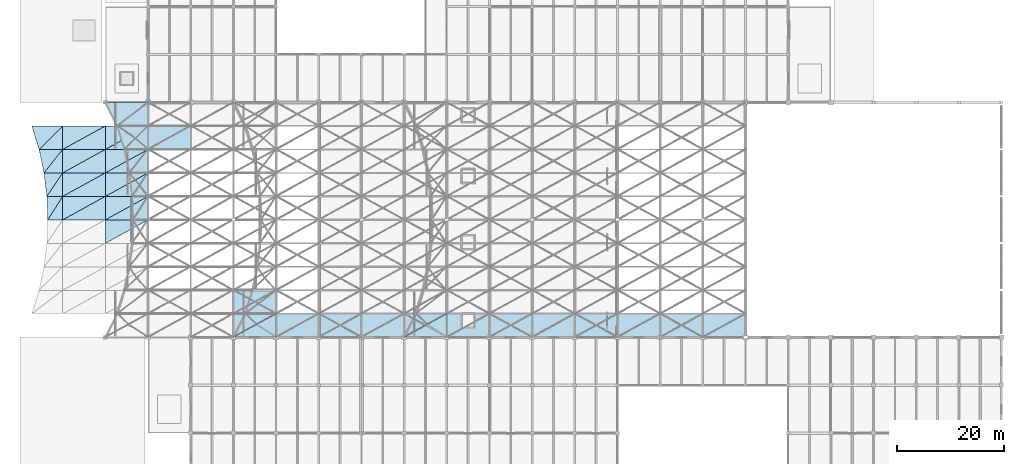
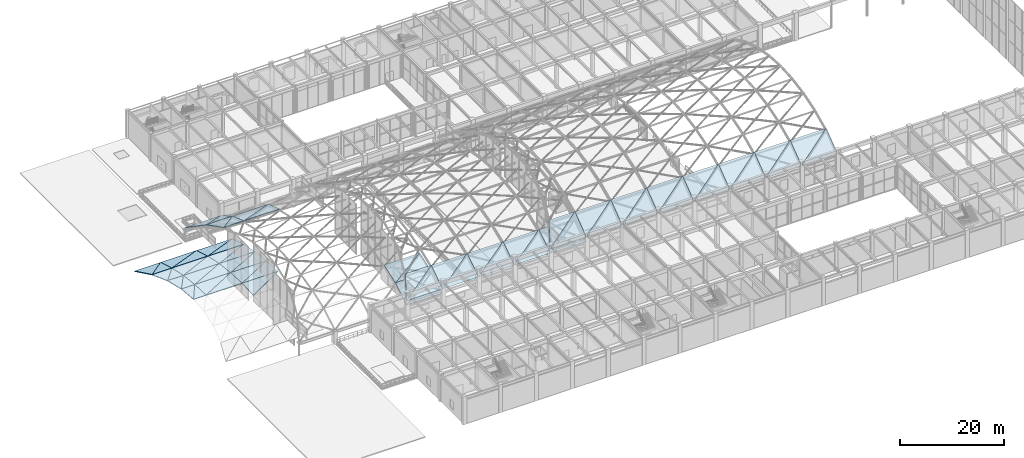
# One storey, part 138 of 163: 61 roofs.
"""IFC4 building model written with IfcOpenShell, lengths in metres."""

from ifc_helpers import new_model, si_unit, direction, frame, origin, place, context, subcontext, project, spatial, polyline, outline, extrude, material, layer, layer_set, type_object, element, save


model = new_model("IFC4")

# Units and contexts
model_context = context("Model", 3, precision=1e-05, world=origin(), true_north=direction((0.0, 1.0)))
body_context = subcontext(model_context, "Body", "Model", "MODEL_VIEW")
ifc_project = project(units=[si_unit("LENGTHUNIT", "METRE"), si_unit("AREAUNIT", "SQUARE_METRE"), si_unit("VOLUMEUNIT", "CUBIC_METRE"), si_unit("PLANEANGLEUNIT", "RADIAN"), si_unit("MASSUNIT", "GRAM", prefix="KILO")], contexts=[model_context])

# Site, building, storey
site_placement = place(None, origin())
site = spatial("IfcSite", under=ifc_project, at=site_placement, CompositionType="ELEMENT")
building_placement = place(site_placement, origin())
building = spatial("IfcBuilding", under=site, at=building_placement, Name="Varnabhumi Central Station", CompositionType="ELEMENT")
storey_placement = place(building_placement, frame((0.0, 0.0, 9.60009765625)))
storey = spatial("IfcBuildingStorey", under=building, at=storey_placement, Name="L02", CompositionType="ELEMENT", Elevation=9.60009765625)

# Roofs
ifc_material = material(Name="Champagne bronze diamond metal panel")
ifc_layer = layer(ifc_material, 0.159912109375, Name="Champagne bronze diamond metal panel")
ifc_layer_set = layer_set([ifc_layer], Name="Champagne bronze diamond metal panel")
roof_type = type_object("IfcRoofType", Name="ROOF-VAULT-BARREL", PredefinedType="BARREL_ROOF", material=ifc_layer_set)
roof_1_placement = place(storey_placement, frame((5.199951171875, 58.0, 3.572265625), z_axis=(0.0, 0.039919325954, 0.999202906028), x_axis=(1.0, 0.0, 0.0)))
element("IfcRoof", 1, at=roof_1_placement, inside=storey, type_object=roof_type, Name="Forecourt Arrival Canopy Vault Diamond Shell Panel 1-6A", PredefinedType="BARREL_ROOF", context=body_context, shape_type="SweptSolid", body=[
    extrude(outline(polyline([(0.0, 0.0), (2.800048828125, 0.0), (2.800048828125, 4.403412277131033), (0.0, 0.0)])), origin(), (0.0, 0.0, -1.0), 0.159912109375),
])
roof_2_placement = place(storey_placement, frame((5.199951171875, 58.0, 3.572265625), z_axis=(0.0, 0.039919325954, 0.999202906028), x_axis=(0.536585937907, 0.84317305545, -0.033685750745)))
element("IfcRoof", 2, at=roof_2_placement, inside=storey, type_object=roof_type, Name="Forecourt Arrival Canopy Vault Diamond Shell Panel 1-6B", PredefinedType="BARREL_ROOF", context=body_context, shape_type="SweptSolid", body=[
    extrude(outline(polyline([(0.0, 0.0), (5.218267252860138, -1.8214596497756474e-17), (3.6216096817640153, 2.510935338097973), (0.0, 0.0)])), origin(), (0.0, 0.0, -1.0), 0.159912109375),
])
roof_3_placement = place(storey_placement, frame((5.0244140625, 62.39990234375, 3.397705078125), z_axis=(0.0, 0.120244182838, 0.992744345989), x_axis=(1.0, 0.0, 0.0)))
element("IfcRoof", 3, at=roof_3_placement, inside=storey, type_object=roof_type, Name="Forecourt Arrival Canopy Vault Diamond Shell Panel 1-7A", PredefinedType="BARREL_ROOF", context=body_context, shape_type="SweptSolid", body=[
    extrude(outline(polyline([(0.0, 0.0), (2.9755859375, 0.0), (2.9755859375, 4.4323057614500945), (0.0, 0.0)])), origin(), (0.0, 0.0, -1.0), 0.159912109375),
])
roof_4_placement = place(storey_placement, frame((5.0244140625, 62.39990234375, 3.397705078125), z_axis=(0.0, 0.120244182838, 0.992744345989), x_axis=(0.557383731109, 0.824230963717, -0.099833334838)))
element("IfcRoof", 4, at=roof_4_placement, inside=storey, type_object=roof_type, Name="Forecourt Arrival Canopy Vault Diamond Shell Panel 1-7B", PredefinedType="BARREL_ROOF", context=body_context, shape_type="SweptSolid", body=[
    extrude(outline(polyline([(0.0, 0.0), (5.338487242134373, 1.0408340855860843e-16), (3.382881382815264, 2.912986987923499), (0.0, 0.0)])), origin(), (0.0, 0.0, -1.0), 0.159912109375),
])
roof_5_placement = place(storey_placement, frame((4.491455078125, 66.800048828125, 2.866943359375), z_axis=(0.0, 0.20340317008, 0.979095067091), x_axis=(1.0, 0.0, 0.0)))
element("IfcRoof", 5, at=roof_5_placement, inside=storey, type_object=roof_type, Name="Forecourt Arrival Canopy Vault Diamond Shell Panel 1-8A", PredefinedType="BARREL_ROOF", context=body_context, shape_type="SweptSolid", body=[
    extrude(outline(polyline([(0.0, 0.0), (3.508544921875, 0.0), (3.508544921875, 4.493845890597829), (0.0, 0.0)])), origin(), (0.0, 0.0, -1.0), 0.159912109375),
])
roof_6_placement = place(storey_placement, frame((4.491455078125, 66.800048828125, 2.866943359375), z_axis=(0.0, 0.20340317008, 0.979095067091), x_axis=(0.615396525938, 0.771740045262, -0.160325975444)))
element("IfcRoof", 6, at=roof_6_placement, inside=storey, type_object=roof_type, Name="Forecourt Arrival Canopy Vault Diamond Shell Panel 1-8B", PredefinedType="BARREL_ROOF", context=body_context, shape_type="SweptSolid", body=[
    extrude(outline(polyline([(0.0, 0.0), (5.701275151863648, 3.469446951953614e-16), (2.979617908853018, 3.4859773750831513), (0.0, 0.0)])), origin(), (0.0, 0.0, -1.0), 0.159912109375),
])
roof_7_placement = place(storey_placement, frame((3.577392578125, 71.199951171875, 1.956787109375), z_axis=(0.0, 0.295947424057, 0.95520423062), x_axis=(1.0, 0.0, 0.0)))
element("IfcRoof", 7, at=roof_7_placement, inside=storey, type_object=roof_type, Name="Forecourt Arrival Canopy Vault Diamond Shell Panel 1-9A", PredefinedType="BARREL_ROOF", context=body_context, shape_type="SweptSolid", body=[
    extrude(outline(polyline([(0.0, 0.0), (4.422607421875, 0.0), (4.422607421875, 4.60649811142469), (0.0, 0.0)])), origin(), (0.0, 0.0, -1.0), 0.159912109375),
])
roof_8_placement = place(storey_placement, frame((3.577392578125, 71.199951171875, 1.956787109375), z_axis=(0.0, 0.295947424057, 0.95520423062), x_axis=(0.692561917434, 0.689044628094, -0.213484170409)))
element("IfcRoof", 8, at=roof_8_placement, inside=storey, type_object=roof_type, Name="Forecourt Arrival Canopy Vault Diamond Shell Panel 1-9B", PredefinedType="BARREL_ROOF", context=body_context, shape_type="SweptSolid", body=[
    extrude(outline(polyline([(0.0, 0.0), (6.385865740726396, 5.551115123125783e-17), (2.3786105055723095, 4.1738757054109), (0.0, 0.0)])), origin(), (0.0, 0.0, -1.0), 0.159912109375),
])
roof_9_placement = place(storey_placement, frame((8.0, 58.0, 3.572265625), z_axis=(0.0, 0.039919325954, 0.999202906028), x_axis=(1.0, 0.0, 0.0)))
element("IfcRoof", 9, at=roof_9_placement, inside=storey, type_object=roof_type, Name="Forecourt Arrival Canopy Vault Diamond Shell Panel 2-6A", PredefinedType="BARREL_ROOF", context=body_context, shape_type="SweptSolid", body=[
    extrude(outline(polyline([(0.0, 0.0), (8.0, 0.0), (8.0, 4.403412277131033), (0.0, 0.0)])), origin(), (0.0, 0.0, -1.0), 0.159912109375),
])
roof_10_placement = place(storey_placement, frame((8.0, 58.0, 3.572265625), z_axis=(0.0, 0.039919325954, 0.999202906028), x_axis=(0.876058074368, 0.481821246834, -0.019249322923)))
element("IfcRoof", 10, at=roof_10_placement, inside=storey, type_object=roof_type, Name="Forecourt Arrival Canopy Vault Diamond Shell Panel 2-6B", PredefinedType="BARREL_ROOF", context=body_context, shape_type="SweptSolid", body=[
    extrude(outline(polyline([(0.0, 0.0), (9.131814698206941, 2.3418766925686896e-17), (2.123350103259936, 3.8576448801534764), (0.0, 0.0)])), origin(), (0.0, 0.0, -1.0), 0.159912109375),
])
roof_11_placement = place(storey_placement, frame((8.0, 62.39990234375, 3.397705078125), z_axis=(0.0, 0.120244182838, 0.992744345989), x_axis=(1.0, 0.0, 0.0)))
element("IfcRoof", 11, at=roof_11_placement, inside=storey, type_object=roof_type, Name="Forecourt Arrival Canopy Vault Diamond Shell Panel 2-7A", PredefinedType="BARREL_ROOF", context=body_context, shape_type="SweptSolid", body=[
    extrude(outline(polyline([(0.0, 0.0), (8.0, 0.0), (8.0, 4.4323057614500945), (0.0, 0.0)])), origin(), (0.0, 0.0, -1.0), 0.159912109375),
])
roof_12_placement = place(storey_placement, frame((8.0, 62.39990234375, 3.397705078125), z_axis=(0.0, 0.120244182838, 0.992744345989), x_axis=(0.874720140327, 0.481112093784, -0.0582737447)))
element("IfcRoof", 12, at=roof_12_placement, inside=storey, type_object=roof_type, Name="Forecourt Arrival Canopy Vault Diamond Shell Panel 2-7B", PredefinedType="BARREL_ROOF", context=body_context, shape_type="SweptSolid", body=[
    extrude(outline(polyline([(0.0, 0.0), (9.14578232645976, 4.85722573273506e-17), (2.1480212038447033, 3.877027117627275), (0.0, 0.0)])), origin(), (0.0, 0.0, -1.0), 0.159912109375),
])
roof_13_placement = place(storey_placement, frame((8.0, 66.800048828125, 2.866943359375), z_axis=(0.0, 0.20340317008, 0.979095067091), x_axis=(1.0, 0.0, 0.0)))
element("IfcRoof", 13, at=roof_13_placement, inside=storey, type_object=roof_type, Name="Forecourt Arrival Canopy Vault Diamond Shell Panel 2-8A", PredefinedType="BARREL_ROOF", context=body_context, shape_type="SweptSolid", body=[
    extrude(outline(polyline([(0.0, 0.0), (8.0, 0.0), (8.0, 4.493845890597829), (0.0, 0.0)])), origin(), (0.0, 0.0, -1.0), 0.159912109375),
])
roof_14_placement = place(storey_placement, frame((8.0, 66.800048828125, 2.866943359375), z_axis=(0.0, 0.20340317008, 0.979095067091), x_axis=(0.871861974597, 0.479513443182, -0.099617042019)))
element("IfcRoof", 14, at=roof_14_placement, inside=storey, type_object=roof_type, Name="Forecourt Arrival Canopy Vault Diamond Shell Panel 2-8B", PredefinedType="BARREL_ROOF", context=body_context, shape_type="SweptSolid", body=[
    extrude(outline(polyline([(0.0, 0.0), (9.175764321757779, -3.3306690738754696e-16), (2.20086852498565, 3.9180133517090625), (0.0, 0.0)])), origin(), (0.0, 0.0, -1.0), 0.159912109375),
])
roof_15_placement = place(storey_placement, frame((8.0, 71.199951171875, 1.956787109375), z_axis=(0.0, 0.295947424057, 0.95520423062), x_axis=(1.0, 0.0, 0.0)))
element("IfcRoof", 15, at=roof_15_placement, inside=storey, type_object=roof_type, Name="Forecourt Arrival Canopy Vault Diamond Shell Panel 2-9A", PredefinedType="BARREL_ROOF", context=body_context, shape_type="SweptSolid", body=[
    extrude(outline(polyline([(0.0, 0.0), (8.0, 0.0), (8.0, 4.60649811142469), (0.0, 0.0)])), origin(), (0.0, 0.0, -1.0), 0.159912109375),
])
roof_16_placement = place(storey_placement, frame((8.0, 71.199951171875, 1.956787109375), z_axis=(0.0, 0.295947424057, 0.95520423062), x_axis=(0.86660196281, 0.476646947501, -0.147677775889)))
element("IfcRoof", 16, at=roof_16_placement, inside=storey, type_object=roof_type, Name="Forecourt Arrival Canopy Vault Diamond Shell Panel 2-9B", PredefinedType="BARREL_ROOF", context=body_context, shape_type="SweptSolid", body=[
    extrude(outline(polyline([(0.0, 0.0), (9.23145843572722, 4.996003610813204e-16), (2.2986427332473407, 3.9920003050411244), (0.0, 0.0)])), origin(), (0.0, 0.0, -1.0), 0.159912109375),
])
roof_17_placement = place(storey_placement, frame((16.0, 53.60009765625, 3.396484375), z_axis=(0.0, -0.039919325954, 0.999202906028), x_axis=(0.876058074368, 0.481821246834, 0.019249322923)))
element("IfcRoof", 17, at=roof_17_placement, inside=storey, type_object=roof_type, Name="Forecourt Arrival Canopy Vault Diamond Shell Panel 3-5B", PredefinedType="BARREL_ROOF", context=body_context, shape_type="SweptSolid", body=[
    extrude(outline(polyline([(0.0, 0.0), (9.131814698206941, 2.3418766925686896e-17), (2.123350103259936, 3.8576448801534764), (0.0, 0.0)])), origin(), (0.0, 0.0, -1.0), 0.159912109375),
])
roof_18_placement = place(storey_placement, frame((16.0, 58.0, 3.572265625), z_axis=(0.0, 0.039919325954, 0.999202906028), x_axis=(1.0, 0.0, 0.0)))
element("IfcRoof", 18, at=roof_18_placement, inside=storey, type_object=roof_type, Name="Forecourt Arrival Canopy Vault Diamond Shell Panel 3-6A", PredefinedType="BARREL_ROOF", context=body_context, shape_type="SweptSolid", body=[
    extrude(outline(polyline([(0.0, 0.0), (8.0, 0.0), (8.0, 4.403412277131033), (0.0, 0.0)])), origin(), (0.0, 0.0, -1.0), 0.159912109375),
])
roof_19_placement = place(storey_placement, frame((16.0, 58.0, 3.572265625), z_axis=(0.0, 0.039919325954, 0.999202906028), x_axis=(0.876058074368, 0.481821246834, -0.019249322923)))
element("IfcRoof", 19, at=roof_19_placement, inside=storey, type_object=roof_type, Name="Forecourt Arrival Canopy Vault Diamond Shell Panel 3-6B", PredefinedType="BARREL_ROOF", context=body_context, shape_type="SweptSolid", body=[
    extrude(outline(polyline([(0.0, 0.0), (9.131814698206941, 2.3418766925686896e-17), (2.123350103259936, 3.8576448801534764), (0.0, 0.0)])), origin(), (0.0, 0.0, -1.0), 0.159912109375),
])
roof_20_placement = place(storey_placement, frame((16.0, 62.39990234375, 3.397705078125), z_axis=(0.0, 0.120244182838, 0.992744345989), x_axis=(1.0, 0.0, 0.0)))
element("IfcRoof", 20, at=roof_20_placement, inside=storey, type_object=roof_type, Name="Forecourt Arrival Canopy Vault Diamond Shell Panel 3-7A", PredefinedType="BARREL_ROOF", context=body_context, shape_type="SweptSolid", body=[
    extrude(outline(polyline([(0.0, 0.0), (8.0, 0.0), (8.0, 4.4323057614500945), (0.0, 0.0)])), origin(), (0.0, 0.0, -1.0), 0.159912109375),
])
roof_21_placement = place(storey_placement, frame((16.0, 62.39990234375, 3.397705078125), z_axis=(0.0, 0.120244182838, 0.992744345989), x_axis=(0.874720140327, 0.481112093784, -0.0582737447)))
element("IfcRoof", 21, at=roof_21_placement, inside=storey, type_object=roof_type, Name="Forecourt Arrival Canopy Vault Diamond Shell Panel 3-7B", PredefinedType="BARREL_ROOF", context=body_context, shape_type="SweptSolid", body=[
    extrude(outline(polyline([(0.0, 0.0), (9.14578232645976, 4.85722573273506e-17), (2.1480212038447033, 3.877027117627275), (0.0, 0.0)])), origin(), (0.0, 0.0, -1.0), 0.159912109375),
])
roof_22_placement = place(storey_placement, frame((16.0, 66.800048828125, 2.866943359375), z_axis=(0.0, 0.20340317008, 0.979095067091), x_axis=(1.0, 0.0, 0.0)))
element("IfcRoof", 22, at=roof_22_placement, inside=storey, type_object=roof_type, Name="Forecourt Arrival Canopy Vault Diamond Shell Panel 3-8A", PredefinedType="BARREL_ROOF", context=body_context, shape_type="SweptSolid", body=[
    extrude(outline(polyline([(0.0, 0.0), (8.0, 0.0), (8.0, 4.493845890597829), (0.0, 0.0)])), origin(), (0.0, 0.0, -1.0), 0.159912109375),
])
roof_23_placement = place(storey_placement, frame((16.0, 66.800048828125, 2.866943359375), z_axis=(0.0, 0.20340317008, 0.979095067091), x_axis=(0.871861974597, 0.479513443182, -0.099617042019)))
element("IfcRoof", 23, at=roof_23_placement, inside=storey, type_object=roof_type, Name="Forecourt Arrival Canopy Vault Diamond Shell Panel 3-8B", PredefinedType="BARREL_ROOF", context=body_context, shape_type="SweptSolid", body=[
    extrude(outline(polyline([(0.0, 0.0), (9.175764321757779, -3.3306690738754696e-16), (2.20086852498565, 3.9180133517090625), (0.0, 0.0)])), origin(), (0.0, 0.0, -1.0), 0.159912109375),
])
roof_24_placement = place(storey_placement, frame((16.0, 71.199951171875, 1.956787109375), z_axis=(0.0, 0.295947424057, 0.95520423062), x_axis=(1.0, 0.0, 0.0)))
element("IfcRoof", 24, at=roof_24_placement, inside=storey, type_object=roof_type, Name="Forecourt Arrival Canopy Vault Diamond Shell Panel 3-9A", PredefinedType="BARREL_ROOF", context=body_context, shape_type="SweptSolid", body=[
    extrude(outline(polyline([(0.0, 0.0), (8.0, 0.0), (8.0, 4.60649811142469), (0.0, 0.0)])), origin(), (0.0, 0.0, -1.0), 0.159912109375),
])
roof_25_placement = place(storey_placement, frame((16.0, 71.199951171875, 1.956787109375), z_axis=(0.0, 0.295947424057, 0.95520423062), x_axis=(0.86660196281, 0.476646947501, -0.147677775889)))
element("IfcRoof", 25, at=roof_25_placement, inside=storey, type_object=roof_type, Name="Forecourt Arrival Canopy Vault Diamond Shell Panel 3-9B", PredefinedType="BARREL_ROOF", context=body_context, shape_type="SweptSolid", body=[
    extrude(outline(polyline([(0.0, 0.0), (9.23145843572722, 4.996003610813204e-16), (2.2986427332473407, 3.9920003050411244), (0.0, 0.0)])), origin(), (0.0, 0.0, -1.0), 0.159912109375),
])
roof_26_placement = place(storey_placement, frame((19.577392578125, 71.199951171875, 7.484375), z_axis=(0.0, 0.336670653094, 0.941622467523), x_axis=(1.0, 0.0, 0.0)))
element("IfcRoof", 26, at=roof_26_placement, inside=storey, type_object=roof_type, Name="Entrance Portico Vault Diamond Shell Panel 1-9A", PredefinedType="BARREL_ROOF", context=body_context, shape_type="SweptSolid", body=[
    extrude(outline(polyline([(0.0, 0.0), (4.422607421875, 0.0), (4.422607421875, 4.6729412648232005), (0.0, 0.0)])), origin(), (0.0, 0.0, -1.0), 0.159912109375),
])
roof_27_placement = place(storey_placement, frame((19.577392578125, 71.199951171875, 7.484375), z_axis=(0.0, 0.336670653094, 0.941622467523), x_axis=(0.687385013082, 0.6838940155, -0.244521613265)))
element("IfcRoof", 27, at=roof_27_placement, inside=storey, type_object=roof_type, Name="Entrance Portico Vault Diamond Shell Panel 1-9B", PredefinedType="BARREL_ROOF", context=body_context, shape_type="SweptSolid", body=[
    extrude(outline(polyline([(0.0, 0.0), (6.433959626273023, 2.7755575615628914e-16), (2.4566586472582888, 4.2024290411876795), (0.0, 0.0)])), origin(), (0.0, 0.0, -1.0), 0.159912109375),
])
roof_28_placement = place(storey_placement, frame((18.2138671875, 75.60009765625, 5.92626953125), z_axis=(0.0, 0.502121625762, 0.864797012565), x_axis=(1.0, 0.0, 0.0)))
element("IfcRoof", 28, at=roof_28_placement, inside=storey, type_object=roof_type, Name="Entrance Portico Vault Diamond Shell Panel 1-10A", PredefinedType="BARREL_ROOF", context=body_context, shape_type="SweptSolid", body=[
    extrude(outline(polyline([(0.0, 0.0), (5.7861328125, 0.0), (5.7861328125, 5.087786243268578), (0.0, 0.0)])), origin(), (0.0, 0.0, -1.0), 0.159912109375),
])
roof_29_placement = place(storey_placement, frame((18.2138671875, 75.60009765625, 5.92626953125), z_axis=(0.0, 0.502121625762, 0.864797012565), x_axis=(0.75097161372, 0.571055292087, -0.331568226412)))
element("IfcRoof", 29, at=roof_29_placement, inside=storey, type_object=roof_type, Name="Entrance Portico Vault Diamond Shell Panel 1-10B", PredefinedType="BARREL_ROOF", context=body_context, shape_type="SweptSolid", body=[
    extrude(outline(polyline([(0.0, 0.0), (7.704862216878518, -1.1102230246251565e-16), (1.6970893071180173, 5.28267590002906), (0.0, 0.0)])), origin(), (0.0, 0.0, -1.0), 0.159912109375),
])
roof_30_placement = place(storey_placement, frame((24.0, 71.199951171875, 7.484375), z_axis=(0.0, 0.336670653094, 0.941622467523), x_axis=(1.0, 0.0, 0.0)))
element("IfcRoof", 30, at=roof_30_placement, inside=storey, type_object=roof_type, Name="Entrance Portico Vault Diamond Shell Panel 2-9A", PredefinedType="BARREL_ROOF", context=body_context, shape_type="SweptSolid", body=[
    extrude(outline(polyline([(0.0, 0.0), (8.0, 0.0), (8.0, 4.6729412648232005), (0.0, 0.0)])), origin(), (0.0, 0.0, -1.0), 0.159912109375),
])
roof_31_placement = place(storey_placement, frame((24.0, 71.199951171875, 7.484375), z_axis=(0.0, 0.336670653094, 0.941622467523), x_axis=(0.86348399062, 0.474932005705, -0.169808680284)))
element("IfcRoof", 31, at=roof_31_placement, inside=storey, type_object=roof_type, Name="Entrance Portico Vault Diamond Shell Panel 2-9B", PredefinedType="BARREL_ROOF", context=body_context, shape_type="SweptSolid", body=[
    extrude(outline(polyline([(0.0, 0.0), (9.264792499807402, 5.551115123125783e-17), (2.3569205748473485, 4.035009971282438), (0.0, 0.0)])), origin(), (0.0, 0.0, -1.0), 0.159912109375),
])
roof_32_placement = place(storey_placement, frame((40.0, 36.0, 3.37158203125), z_axis=(0.0, -0.502121625762, 0.864797012565), x_axis=(1.0, 0.0, 0.0)))
element("IfcRoof", 32, at=roof_32_placement, inside=storey, type_object=roof_type, Name="Entrance Portico Vault Diamond Shell Panel 4-1A", PredefinedType="BARREL_ROOF", context=body_context, shape_type="SweptSolid", body=[
    extrude(outline(polyline([(0.0, 0.0), (8.0, 0.0), (8.0, 5.087786243268578), (0.0, 0.0)])), origin(), (0.0, 0.0, -1.0), 0.159912109375),
])
roof_33_placement = place(storey_placement, frame((40.0, 36.0, 3.37158203125), z_axis=(0.0, -0.502121625762, 0.864797012565), x_axis=(0.843810647871, 0.464085555906, 0.26945906431)))
element("IfcRoof", 33, at=roof_33_placement, inside=storey, type_object=roof_type, Name="Entrance Portico Vault Diamond Shell Panel 4-1B", PredefinedType="BARREL_ROOF", context=body_context, shape_type="SweptSolid", body=[
    extrude(outline(polyline([(0.0, 0.0), (9.480800011454361, -2.220446049250313e-16), (2.7303148284869403, 4.293128206161252), (0.0, 0.0)])), origin(), (0.0, 0.0, -1.0), 0.159912109375),
])
roof_34_placement = place(storey_placement, frame((40.0, 40.39990234375, 5.9111328125), z_axis=(0.0, -0.336670653094, 0.941622467523), x_axis=(1.0, 0.0, 0.0)))
element("IfcRoof", 34, at=roof_34_placement, inside=storey, type_object=roof_type, Name="Entrance Portico Vault Diamond Shell Panel 4-2A", PredefinedType="BARREL_ROOF", context=body_context, shape_type="SweptSolid", body=[
    extrude(outline(polyline([(0.0, 0.0), (8.0, 0.0), (8.0, 4.6729412648232005), (0.0, 0.0)])), origin(), (0.0, 0.0, -1.0), 0.159912109375),
])
roof_35_placement = place(storey_placement, frame((40.0, 40.39990234375, 5.9111328125), z_axis=(0.0, -0.336670653094, 0.941622467523), x_axis=(0.86348399062, 0.474932005705, 0.169808680284)))
element("IfcRoof", 35, at=roof_35_placement, inside=storey, type_object=roof_type, Name="Entrance Portico Vault Diamond Shell Panel 4-2B", PredefinedType="BARREL_ROOF", context=body_context, shape_type="SweptSolid", body=[
    extrude(outline(polyline([(0.0, 0.0), (9.264792499807402, 5.551115123125783e-17), (2.3569205748473485, 4.035009971282438), (0.0, 0.0)])), origin(), (0.0, 0.0, -1.0), 0.159912109375),
])
roof_36_placement = place(storey_placement, frame((40.0, 36.0, 4.37890625), z_axis=(0.0, -0.549662473503, 0.835386835677), x_axis=(1.0, 0.0, 0.0)))
element("IfcRoof", 36, at=roof_36_placement, inside=storey, type_object=roof_type, Name="Ticket Hall Vault Diamond Shell Panel 1-1A", PredefinedType="BARREL_ROOF", context=body_context, shape_type="SweptSolid", body=[
    extrude(outline(polyline([(0.0, 0.0), (8.0, 0.0), (8.0, 5.266904092619849), (0.0, 0.0)])), origin(), (0.0, 0.0, -1.0), 0.159912109375),
])
roof_37_placement = place(storey_placement, frame((40.0, 36.0, 4.37890625), z_axis=(0.0, -0.549662473503, 0.835386835677), x_axis=(0.8352374511, 0.459370402335, 0.302253591771)))
element("IfcRoof", 37, at=roof_37_placement, inside=storey, type_object=roof_type, Name="Ticket Hall Vault Diamond Shell Panel 1-1B", PredefinedType="BARREL_ROOF", context=body_context, shape_type="SweptSolid", body=[
    extrude(outline(polyline([(0.0, 0.0), (9.578114570251063, 0.0), (4.745319748212653, 3.1817333533732652), (0.0, 0.0)])), origin(), (0.0, 0.0, -1.0), 0.159912109375),
])
roof_38_placement = place(storey_placement, frame((48.0, 36.0, 4.37890625), z_axis=(0.0, -0.549662473503, 0.835386835677), x_axis=(1.0, 0.0, 0.0)))
element("IfcRoof", 38, at=roof_38_placement, inside=storey, type_object=roof_type, Name="Ticket Hall Vault Diamond Shell Panel 2-1A", PredefinedType="BARREL_ROOF", context=body_context, shape_type="SweptSolid", body=[
    extrude(outline(polyline([(0.0, 0.0), (8.0, 0.0), (8.0, 5.266904092619849), (0.0, 0.0)])), origin(), (0.0, 0.0, -1.0), 0.159912109375),
])
roof_39_placement = place(storey_placement, frame((48.0, 36.0, 4.37890625), z_axis=(0.0, -0.549662473503, 0.835386835677), x_axis=(0.8352374511, 0.459370402335, 0.302253591771)))
element("IfcRoof", 39, at=roof_39_placement, inside=storey, type_object=roof_type, Name="Ticket Hall Vault Diamond Shell Panel 2-1B", PredefinedType="BARREL_ROOF", context=body_context, shape_type="SweptSolid", body=[
    extrude(outline(polyline([(0.0, 0.0), (9.578114570251063, 0.0), (2.896214961451289, 4.399115549507813), (0.0, 0.0)])), origin(), (0.0, 0.0, -1.0), 0.159912109375),
])
roof_40_placement = place(storey_placement, frame((56.0, 36.0, 4.37890625), z_axis=(0.0, -0.549662473503, 0.835386835677), x_axis=(1.0, 0.0, 0.0)))
element("IfcRoof", 40, at=roof_40_placement, inside=storey, type_object=roof_type, Name="Ticket Hall Vault Diamond Shell Panel 3-1A", PredefinedType="BARREL_ROOF", context=body_context, shape_type="SweptSolid", body=[
    extrude(outline(polyline([(0.0, 0.0), (8.0, 0.0), (8.0, 5.266904092619849), (0.0, 0.0)])), origin(), (0.0, 0.0, -1.0), 0.159912109375),
])
roof_41_placement = place(storey_placement, frame((56.0, 36.0, 4.37890625), z_axis=(0.0, -0.549662473503, 0.835386835677), x_axis=(0.8352374511, 0.459370402335, 0.302253591771)))
element("IfcRoof", 41, at=roof_41_placement, inside=storey, type_object=roof_type, Name="Ticket Hall Vault Diamond Shell Panel 3-1B", PredefinedType="BARREL_ROOF", context=body_context, shape_type="SweptSolid", body=[
    extrude(outline(polyline([(0.0, 0.0), (9.578114570251063, 0.0), (2.896214961451289, 4.399115549507813), (0.0, 0.0)])), origin(), (0.0, 0.0, -1.0), 0.159912109375),
])
roof_42_placement = place(storey_placement, frame((64.0, 36.0, 4.37890625), z_axis=(0.0, -0.549662473503, 0.835386835677), x_axis=(1.0, 0.0, 0.0)))
element("IfcRoof", 42, at=roof_42_placement, inside=storey, type_object=roof_type, Name="Ticket Hall Vault Diamond Shell Panel 4-1A", PredefinedType="BARREL_ROOF", context=body_context, shape_type="SweptSolid", body=[
    extrude(outline(polyline([(0.0, 0.0), (8.0, 0.0), (8.0, 5.266904092619849), (0.0, 0.0)])), origin(), (0.0, 0.0, -1.0), 0.159912109375),
])
roof_43_placement = place(storey_placement, frame((64.0, 36.0, 4.37890625), z_axis=(0.0, -0.549662473503, 0.835386835677), x_axis=(0.8352374511, 0.459370402335, 0.302253591771)))
element("IfcRoof", 43, at=roof_43_placement, inside=storey, type_object=roof_type, Name="Ticket Hall Vault Diamond Shell Panel 4-1B", PredefinedType="BARREL_ROOF", context=body_context, shape_type="SweptSolid", body=[
    extrude(outline(polyline([(0.0, 0.0), (9.578114570251063, 0.0), (2.896214961451289, 4.399115549507813), (0.0, 0.0)])), origin(), (0.0, 0.0, -1.0), 0.159912109375),
])
roof_44_placement = place(storey_placement, frame((72.0, 36.0, 4.37890625), z_axis=(0.0, -0.549662473503, 0.835386835677), x_axis=(1.0, 0.0, 0.0)))
element("IfcRoof", 44, at=roof_44_placement, inside=storey, type_object=roof_type, Name="Ticket Hall Vault Diamond Shell Panel 5-1A", PredefinedType="BARREL_ROOF", context=body_context, shape_type="SweptSolid", body=[
    extrude(outline(polyline([(0.0, 0.0), (8.0, 0.0), (8.0, 5.266904092619849), (0.0, 0.0)])), origin(), (0.0, 0.0, -1.0), 0.159912109375),
])
roof_45_placement = place(storey_placement, frame((72.0, 36.0, 4.37890625), z_axis=(0.0, -0.549662473503, 0.835386835677), x_axis=(0.8352374511, 0.459370402335, 0.302253591771)))
element("IfcRoof", 45, at=roof_45_placement, inside=storey, type_object=roof_type, Name="Ticket Hall Vault Diamond Shell Panel 5-1B", PredefinedType="BARREL_ROOF", context=body_context, shape_type="SweptSolid", body=[
    extrude(outline(polyline([(0.0, 0.0), (9.578114570251063, 0.0), (2.896214961451289, 4.399115549507813), (0.0, 0.0)])), origin(), (0.0, 0.0, -1.0), 0.159912109375),
])
roof_46_placement = place(storey_placement, frame((72.0, 36.0, 5.413330078125), z_axis=(0.0, -0.602448963057, 0.798157407352), x_axis=(1.0, 0.0, 0.0)))
element("IfcRoof", 46, at=roof_46_placement, inside=storey, type_object=roof_type, Name="Departure Concourse Vault Diamond Shell Panel 1-1A", PredefinedType="BARREL_ROOF", context=body_context, shape_type="SweptSolid", body=[
    extrude(outline(polyline([(0.0, 0.0), (8.0, 0.0), (8.0, 5.512574716740669), (0.0, 0.0)])), origin(), (0.0, 0.0, -1.0), 0.159912109375),
])
roof_47_placement = place(storey_placement, frame((72.0, 36.0, 5.413330078125), z_axis=(0.0, -0.602448963057, 0.798157407352), x_axis=(0.823437214719, 0.452880416372, 0.341833997553)))
element("IfcRoof", 47, at=roof_47_placement, inside=storey, type_object=roof_type, Name="Departure Concourse Vault Diamond Shell Panel 1-1B", PredefinedType="BARREL_ROOF", context=body_context, shape_type="SweptSolid", body=[
    extrude(outline(polyline([(0.0, 0.0), (9.71537338488071, 4.440892098500626e-16), (4.950856297762256, 3.2830945539910115), (0.0, 0.0)])), origin(), (0.0, 0.0, -1.0), 0.159912109375),
])
roof_48_placement = place(storey_placement, frame((80.0, 36.0, 5.413330078125), z_axis=(0.0, -0.602448963057, 0.798157407352), x_axis=(1.0, 0.0, 0.0)))
element("IfcRoof", 48, at=roof_48_placement, inside=storey, type_object=roof_type, Name="Departure Concourse Vault Diamond Shell Panel 2-1A", PredefinedType="BARREL_ROOF", context=body_context, shape_type="SweptSolid", body=[
    extrude(outline(polyline([(0.0, 0.0), (8.0, 0.0), (8.0, 5.512574716740669), (0.0, 0.0)])), origin(), (0.0, 0.0, -1.0), 0.159912109375),
])
roof_49_placement = place(storey_placement, frame((80.0, 36.0, 5.413330078125), z_axis=(0.0, -0.602448963057, 0.798157407352), x_axis=(0.823437214719, 0.452880416372, 0.341833997553)))
element("IfcRoof", 49, at=roof_49_placement, inside=storey, type_object=roof_type, Name="Departure Concourse Vault Diamond Shell Panel 2-1B", PredefinedType="BARREL_ROOF", context=body_context, shape_type="SweptSolid", body=[
    extrude(outline(polyline([(0.0, 0.0), (9.71537338488071, 4.440892098500626e-16), (3.1278756671297607, 4.539259170682593), (0.0, 0.0)])), origin(), (0.0, 0.0, -1.0), 0.159912109375),
])
roof_50_placement = place(storey_placement, frame((88.0, 36.0, 5.413330078125), z_axis=(0.0, -0.602448963057, 0.798157407352), x_axis=(1.0, 0.0, 0.0)))
element("IfcRoof", 50, at=roof_50_placement, inside=storey, type_object=roof_type, Name="Departure Concourse Vault Diamond Shell Panel 3-1A", PredefinedType="BARREL_ROOF", context=body_context, shape_type="SweptSolid", body=[
    extrude(outline(polyline([(0.0, 0.0), (8.0, 0.0), (8.0, 5.512574716740669), (0.0, 0.0)])), origin(), (0.0, 0.0, -1.0), 0.159912109375),
])
roof_51_placement = place(storey_placement, frame((88.0, 36.0, 5.413330078125), z_axis=(0.0, -0.602448963057, 0.798157407352), x_axis=(0.823437214719, 0.452880416372, 0.341833997553)))
element("IfcRoof", 51, at=roof_51_placement, inside=storey, type_object=roof_type, Name="Departure Concourse Vault Diamond Shell Panel 3-1B", PredefinedType="BARREL_ROOF", context=body_context, shape_type="SweptSolid", body=[
    extrude(outline(polyline([(0.0, 0.0), (9.71537338488071, 4.440892098500626e-16), (3.1278756671297607, 4.539259170682593), (0.0, 0.0)])), origin(), (0.0, 0.0, -1.0), 0.159912109375),
])
roof_52_placement = place(storey_placement, frame((96.0, 36.0, 5.413330078125), z_axis=(0.0, -0.602448963057, 0.798157407352), x_axis=(1.0, 0.0, 0.0)))
element("IfcRoof", 52, at=roof_52_placement, inside=storey, type_object=roof_type, Name="Departure Concourse Vault Diamond Shell Panel 4-1A", PredefinedType="BARREL_ROOF", context=body_context, shape_type="SweptSolid", body=[
    extrude(outline(polyline([(0.0, 0.0), (8.0, 0.0), (8.0, 5.512574716740669), (0.0, 0.0)])), origin(), (0.0, 0.0, -1.0), 0.159912109375),
])
roof_53_placement = place(storey_placement, frame((96.0, 36.0, 5.413330078125), z_axis=(0.0, -0.602448963057, 0.798157407352), x_axis=(0.823437214719, 0.452880416372, 0.341833997553)))
element("IfcRoof", 53, at=roof_53_placement, inside=storey, type_object=roof_type, Name="Departure Concourse Vault Diamond Shell Panel 4-1B", PredefinedType="BARREL_ROOF", context=body_context, shape_type="SweptSolid", body=[
    extrude(outline(polyline([(0.0, 0.0), (9.71537338488071, 4.440892098500626e-16), (3.1278756671297607, 4.539259170682593), (0.0, 0.0)])), origin(), (0.0, 0.0, -1.0), 0.159912109375),
])
roof_54_placement = place(storey_placement, frame((104.0, 36.0, 5.413330078125), z_axis=(0.0, -0.602448963057, 0.798157407352), x_axis=(1.0, 0.0, 0.0)))
element("IfcRoof", 54, at=roof_54_placement, inside=storey, type_object=roof_type, Name="Departure Concourse Vault Diamond Shell Panel 5-1A", PredefinedType="BARREL_ROOF", context=body_context, shape_type="SweptSolid", body=[
    extrude(outline(polyline([(0.0, 0.0), (8.0, 0.0), (8.0, 5.512574716740669), (0.0, 0.0)])), origin(), (0.0, 0.0, -1.0), 0.159912109375),
])
roof_55_placement = place(storey_placement, frame((104.0, 36.0, 5.413330078125), z_axis=(0.0, -0.602448963057, 0.798157407352), x_axis=(0.823437214719, 0.452880416372, 0.341833997553)))
element("IfcRoof", 55, at=roof_55_placement, inside=storey, type_object=roof_type, Name="Departure Concourse Vault Diamond Shell Panel 5-1B", PredefinedType="BARREL_ROOF", context=body_context, shape_type="SweptSolid", body=[
    extrude(outline(polyline([(0.0, 0.0), (9.71537338488071, 4.440892098500626e-16), (3.1278756671297607, 4.539259170682593), (0.0, 0.0)])), origin(), (0.0, 0.0, -1.0), 0.159912109375),
])
roof_56_placement = place(storey_placement, frame((112.0, 36.0, 5.413330078125), z_axis=(0.0, -0.602448963057, 0.798157407352), x_axis=(1.0, 0.0, 0.0)))
element("IfcRoof", 56, at=roof_56_placement, inside=storey, type_object=roof_type, Name="Departure Concourse Vault Diamond Shell Panel 6-1A", PredefinedType="BARREL_ROOF", context=body_context, shape_type="SweptSolid", body=[
    extrude(outline(polyline([(0.0, 0.0), (8.0, 0.0), (8.0, 5.512574716740669), (0.0, 0.0)])), origin(), (0.0, 0.0, -1.0), 0.159912109375),
])
roof_57_placement = place(storey_placement, frame((112.0, 36.0, 5.413330078125), z_axis=(0.0, -0.602448963057, 0.798157407352), x_axis=(0.823437214719, 0.452880416372, 0.341833997553)))
element("IfcRoof", 57, at=roof_57_placement, inside=storey, type_object=roof_type, Name="Departure Concourse Vault Diamond Shell Panel 6-1B", PredefinedType="BARREL_ROOF", context=body_context, shape_type="SweptSolid", body=[
    extrude(outline(polyline([(0.0, 0.0), (9.71537338488071, 4.440892098500626e-16), (3.1278756671297607, 4.539259170682593), (0.0, 0.0)])), origin(), (0.0, 0.0, -1.0), 0.159912109375),
])
roof_58_placement = place(storey_placement, frame((120.0, 36.0, 5.413330078125), z_axis=(0.0, -0.602448963057, 0.798157407352), x_axis=(1.0, 0.0, 0.0)))
element("IfcRoof", 58, at=roof_58_placement, inside=storey, type_object=roof_type, Name="Departure Concourse Vault Diamond Shell Panel 7-1A", PredefinedType="BARREL_ROOF", context=body_context, shape_type="SweptSolid", body=[
    extrude(outline(polyline([(0.0, 0.0), (8.0, 0.0), (8.0, 5.512574716740669), (0.0, 0.0)])), origin(), (0.0, 0.0, -1.0), 0.159912109375),
])
roof_59_placement = place(storey_placement, frame((120.0, 36.0, 5.413330078125), z_axis=(0.0, -0.602448963057, 0.798157407352), x_axis=(0.823437214719, 0.452880416372, 0.341833997553)))
element("IfcRoof", 59, at=roof_59_placement, inside=storey, type_object=roof_type, Name="Departure Concourse Vault Diamond Shell Panel 7-1B", PredefinedType="BARREL_ROOF", context=body_context, shape_type="SweptSolid", body=[
    extrude(outline(polyline([(0.0, 0.0), (9.71537338488071, 4.440892098500626e-16), (3.1278756671297607, 4.539259170682593), (0.0, 0.0)])), origin(), (0.0, 0.0, -1.0), 0.159912109375),
])
roof_60_placement = place(storey_placement, frame((128.0, 36.0, 5.413330078125), z_axis=(0.0, -0.602448963057, 0.798157407352), x_axis=(1.0, 0.0, 0.0)))
element("IfcRoof", 60, at=roof_60_placement, inside=storey, type_object=roof_type, Name="Departure Concourse Vault Diamond Shell Panel 8-1A", PredefinedType="BARREL_ROOF", context=body_context, shape_type="SweptSolid", body=[
    extrude(outline(polyline([(0.0, 0.0), (8.0, 0.0), (8.0, 5.512574716740669), (0.0, 0.0)])), origin(), (0.0, 0.0, -1.0), 0.159912109375),
])
roof_61_placement = place(storey_placement, frame((128.0, 36.0, 5.413330078125), z_axis=(0.0, -0.602448963057, 0.798157407352), x_axis=(0.823437214719, 0.452880416372, 0.341833997553)))
element("IfcRoof", 61, at=roof_61_placement, inside=storey, type_object=roof_type, Name="Departure Concourse Vault Diamond Shell Panel 8-1B", PredefinedType="BARREL_ROOF", context=body_context, shape_type="SweptSolid", body=[
    extrude(outline(polyline([(0.0, 0.0), (9.71537338488071, 4.440892098500626e-16), (3.1278756671297607, 4.539259170682593), (0.0, 0.0)])), origin(), (0.0, 0.0, -1.0), 0.159912109375),
])

save(model, "model.ifc")
